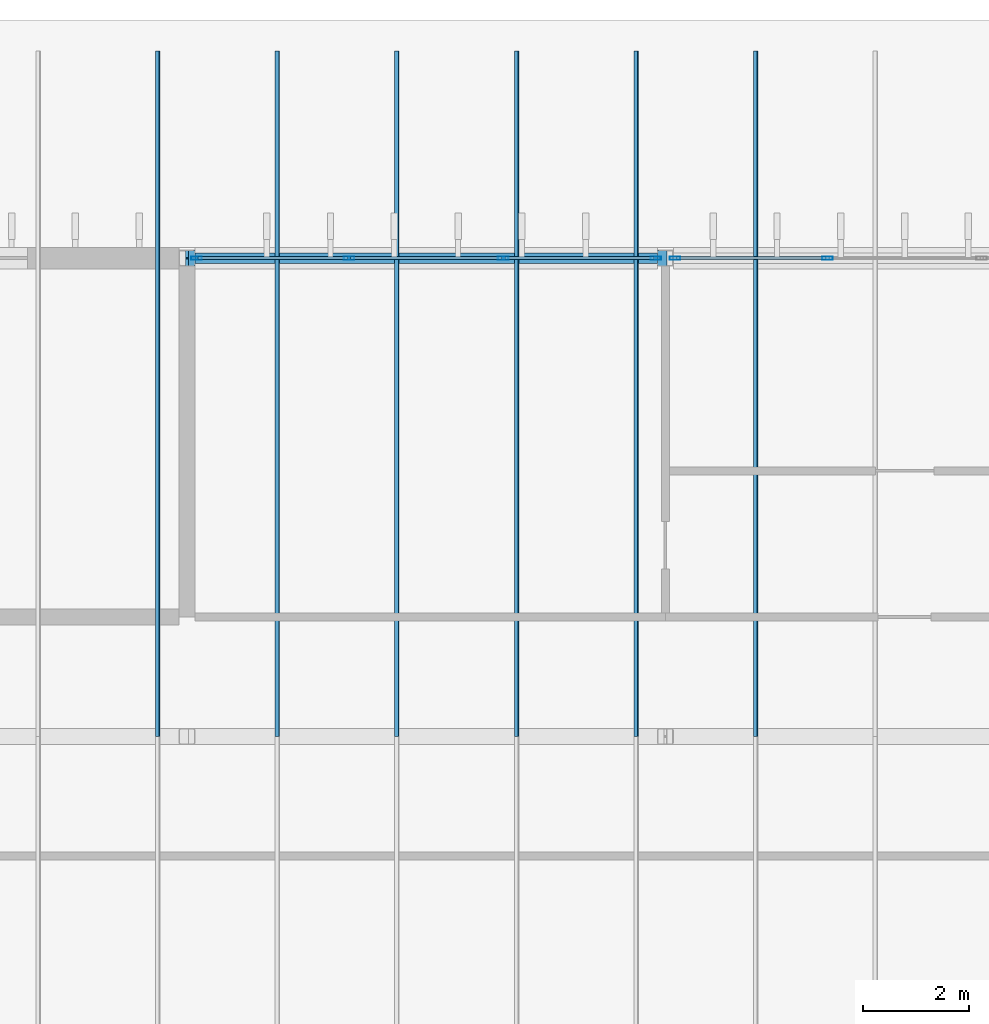
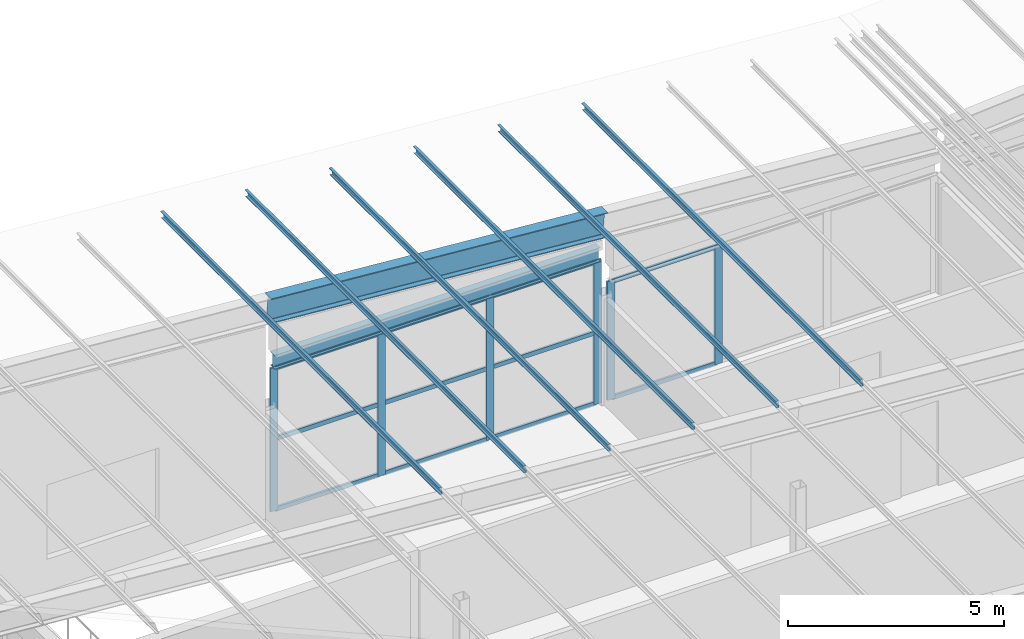
# One storey, part 55 of 85: 24 members, 1 beam, 2 elements without a shape of their own.
"""IFC4 building model written with IfcOpenShell, lengths in metres."""

from ifc_helpers import new_model, si_unit, direction, frame, origin, origin_2d, place, context, subcontext, project, spatial, polyline, hollow_rectangle, i_section, outline, extrude, material, layer, layer_set, material_profile, profile_set, type_object, element, aggregate, save


model = new_model("IFC4")

# Units and contexts
model_context = context("Model", 3, precision=1e-05, world=origin(), true_north=direction((0.0, 1.0)))
body_context = subcontext(model_context, "Body", "Model", "MODEL_VIEW")
ifc_project = project(units=[si_unit("LENGTHUNIT", "METRE"), si_unit("AREAUNIT", "SQUARE_METRE"), si_unit("VOLUMEUNIT", "CUBIC_METRE"), si_unit("PLANEANGLEUNIT", "RADIAN"), si_unit("MASSUNIT", "GRAM", prefix="KILO")], contexts=[model_context])

# Site, building, storey
site_placement = place(None, origin())
site = spatial("IfcSite", under=ifc_project, at=site_placement, CompositionType="ELEMENT")
building_placement = place(site_placement, origin())
building = spatial("IfcBuilding", under=site, at=building_placement, Name="Opaline Strait Convention Centre", CompositionType="ELEMENT")
storey_placement = place(building_placement, frame((0.0, 0.0, 17.0)))
storey = spatial("IfcBuildingStorey", under=building, at=storey_placement, Name="L03", CompositionType="ELEMENT", Elevation=17.0)

# Curtain wall, members
ifc_material_1 = material(Name="Aluminium framed double glazing", Category="aluminium")
ifc_layer = layer(ifc_material_1, 0.199951171875)
ifc_layer_set = layer_set([ifc_layer], Name="Aluminium framed double glazing")
curtain_wall_type = type_object("IfcCurtainWallType", Name="Curtain wall 3000 module unitised", PredefinedType="NOTDEFINED", material=ifc_layer_set)
curtain_wall_1_placement = place(storey_placement, origin())
curtain_wall_1 = element("IfcCurtainWall", 1, at=curtain_wall_1_placement, inside=storey, type_object=curtain_wall_type, Name="Curtain wall N L03 35/W", PredefinedType="NOTDEFINED")
ifc_material_2 = material(Name="Aluminium alloy 6063", Category="aluminium")
ifc_material_profile_1 = material_profile(ifc_material_2, hollow_rectangle(XDim=0.06005859375, YDim=0.199951171875, WallThickness=0.00390625, at=origin_2d()), Name="MULLION 60x200x4")
ifc_profile_set_1 = profile_set([ifc_material_profile_1], Name="Aluminium alloy 6063")
member_type_1 = type_object("IfcMemberType", Name="Curtain wall mullion 60 x 200", PredefinedType="MULLION", material=ifc_profile_set_1)
member_1_placement = place(storey_placement, frame((306.179931640625, 180.0, 0.0), z_axis=(0.0, 0.0, 1.0), x_axis=(0.0, 1.0, 0.0)))
member_1 = element("IfcMember", 2, at=member_1_placement, type_object=member_type_1, Name="MCWR1 mullion 1", PredefinedType="MULLION", context=body_context, shape_type="SweptSolid", body=[
    extrude(hollow_rectangle(XDim=0.06005859375, YDim=0.199951171875, WallThickness=0.00390625, at=origin_2d()), origin(), (0.0, 0.0, 1.0), 4.050048828125),
])
member_2_placement = place(storey_placement, frame((309.050048828125, 180.0, 0.0), z_axis=(0.0, 0.0, 1.0), x_axis=(0.0, 1.0, 0.0)))
member_2 = element("IfcMember", 3, at=member_2_placement, type_object=member_type_1, Name="MCWR1 mullion 2", PredefinedType="MULLION", context=body_context, shape_type="SweptSolid", body=[
    extrude(hollow_rectangle(XDim=0.06005859375, YDim=0.199951171875, WallThickness=0.00390625, at=origin_2d()), origin(), (0.0, 0.0, 1.0), 4.050048828125),
])
member_3_placement = place(storey_placement, frame((311.949951171875, 180.0, 0.0), z_axis=(0.0, 0.0, 1.0), x_axis=(0.0, 1.0, 0.0)))
member_3 = element("IfcMember", 4, at=member_3_placement, type_object=member_type_1, Name="MCWR1 mullion 3", PredefinedType="MULLION", context=body_context, shape_type="SweptSolid", body=[
    extrude(hollow_rectangle(XDim=0.06005859375, YDim=0.199951171875, WallThickness=0.00390625, at=origin_2d()), origin(), (0.0, 0.0, 1.0), 4.050048828125),
])
member_4_placement = place(storey_placement, frame((314.820068359375, 180.0, 0.0), z_axis=(0.0, 0.0, 1.0), x_axis=(0.0, 1.0, 0.0)))
member_4 = element("IfcMember", 5, at=member_4_placement, type_object=member_type_1, Name="MCWR1 mullion 4", PredefinedType="MULLION", context=body_context, shape_type="SweptSolid", body=[
    extrude(hollow_rectangle(XDim=0.06005859375, YDim=0.199951171875, WallThickness=0.00390625, at=origin_2d()), origin(), (0.0, 0.0, 1.0), 4.050048828125),
])

curtain_wall_2_placement = place(storey_placement, origin())
curtain_wall_2 = element("IfcCurtainWall", 6, at=curtain_wall_2_placement, inside=storey, type_object=curtain_wall_type, Name="Curtain wall N L03 36/W", PredefinedType="NOTDEFINED")
member_5_placement = place(storey_placement, frame((315.179931640625, 180.0, 0.0), z_axis=(0.0, 0.0, 1.0), x_axis=(0.0, 1.0, 0.0)))
member_5 = element("IfcMember", 7, at=member_5_placement, type_object=member_type_1, Name="MCWR1 mullion 1", PredefinedType="MULLION", context=body_context, shape_type="SweptSolid", body=[
    extrude(hollow_rectangle(XDim=0.06005859375, YDim=0.199951171875, WallThickness=0.00390625, at=origin_2d()), origin(), (0.0, 0.0, 1.0), 3.35009765625),
])
member_6_placement = place(storey_placement, frame((318.050048828125, 180.0, 0.0), z_axis=(0.0, 0.0, 1.0), x_axis=(0.0, 1.0, 0.0)))
member_6 = element("IfcMember", 8, at=member_6_placement, type_object=member_type_1, Name="MCWR1 mullion 2", PredefinedType="MULLION", context=body_context, shape_type="SweptSolid", body=[
    extrude(hollow_rectangle(XDim=0.06005859375, YDim=0.199951171875, WallThickness=0.00390625, at=origin_2d()), origin(), (0.0, 0.0, 1.0), 3.35009765625),
])

# Member
ifc_material_profile_2 = material_profile(ifc_material_2, hollow_rectangle(XDim=0.06005859375, YDim=0.1201171875, WallThickness=0.0029296875, at=origin_2d()), Name="TRANSOM 60x120x3")
ifc_profile_set_2 = profile_set([ifc_material_profile_2], Name="Aluminium alloy 6063")
member_type_2 = type_object("IfcMemberType", Name="Curtain wall transom 60 x 120", PredefinedType="USERDEFINED", material=ifc_profile_set_2)
member_7_placement = place(storey_placement, frame((306.2099609375, 180.0, 0.030029296875), z_axis=(1.0, 0.0, 0.0), x_axis=(0.0, 1.0, 0.0)))
member_7 = element("IfcMember", 9, at=member_7_placement, type_object=member_type_2, Name="MCWR1 transom 1.1", ObjectType="TRANSOM", PredefinedType="USERDEFINED", context=body_context, shape_type="SweptSolid", body=[
    extrude(hollow_rectangle(XDim=0.06005859375, YDim=0.1201171875, WallThickness=0.0029296875, at=origin_2d()), origin(), (0.0, 0.0, 1.0), 2.81005859375),
])

member_8_placement = place(storey_placement, frame((306.2099609375, 180.0, 2.02490234375), z_axis=(1.0, 0.0, 0.0), x_axis=(0.0, 1.0, 0.0)))
member_8 = element("IfcMember", 10, at=member_8_placement, type_object=member_type_2, Name="MCWR1 transom 1.2", ObjectType="TRANSOM", PredefinedType="USERDEFINED", context=body_context, shape_type="SweptSolid", body=[
    extrude(hollow_rectangle(XDim=0.06005859375, YDim=0.1201171875, WallThickness=0.0029296875, at=origin_2d()), origin(), (0.0, 0.0, 1.0), 2.81005859375),
])

member_9_placement = place(storey_placement, frame((306.2099609375, 180.0, 4.02001953125), z_axis=(1.0, 0.0, 0.0), x_axis=(0.0, 1.0, 0.0)))
member_9 = element("IfcMember", 11, at=member_9_placement, type_object=member_type_2, Name="MCWR1 transom 1.3", ObjectType="TRANSOM", PredefinedType="USERDEFINED", context=body_context, shape_type="SweptSolid", body=[
    extrude(hollow_rectangle(XDim=0.06005859375, YDim=0.1201171875, WallThickness=0.0029296875, at=origin_2d()), origin(), (0.0, 0.0, 1.0), 2.81005859375),
])

member_10_placement = place(storey_placement, frame((309.080078125, 180.0, 0.030029296875), z_axis=(1.0, 0.0, 0.0), x_axis=(0.0, 1.0, 0.0)))
member_10 = element("IfcMember", 12, at=member_10_placement, type_object=member_type_2, Name="MCWR1 transom 2.1", ObjectType="TRANSOM", PredefinedType="USERDEFINED", context=body_context, shape_type="SweptSolid", body=[
    extrude(hollow_rectangle(XDim=0.06005859375, YDim=0.1201171875, WallThickness=0.0029296875, at=origin_2d()), origin(), (0.0, 0.0, 1.0), 2.83984375),
])

member_11_placement = place(storey_placement, frame((309.080078125, 180.0, 2.02490234375), z_axis=(1.0, 0.0, 0.0), x_axis=(0.0, 1.0, 0.0)))
member_11 = element("IfcMember", 13, at=member_11_placement, type_object=member_type_2, Name="MCWR1 transom 2.2", ObjectType="TRANSOM", PredefinedType="USERDEFINED", context=body_context, shape_type="SweptSolid", body=[
    extrude(hollow_rectangle(XDim=0.06005859375, YDim=0.1201171875, WallThickness=0.0029296875, at=origin_2d()), origin(), (0.0, 0.0, 1.0), 2.83984375),
])

member_12_placement = place(storey_placement, frame((309.080078125, 180.0, 4.02001953125), z_axis=(1.0, 0.0, 0.0), x_axis=(0.0, 1.0, 0.0)))
member_12 = element("IfcMember", 14, at=member_12_placement, type_object=member_type_2, Name="MCWR1 transom 2.3", ObjectType="TRANSOM", PredefinedType="USERDEFINED", context=body_context, shape_type="SweptSolid", body=[
    extrude(hollow_rectangle(XDim=0.06005859375, YDim=0.1201171875, WallThickness=0.0029296875, at=origin_2d()), origin(), (0.0, 0.0, 1.0), 2.83984375),
])

member_13_placement = place(storey_placement, frame((311.97998046875, 180.0, 0.030029296875), z_axis=(1.0, 0.0, 0.0), x_axis=(0.0, 1.0, 0.0)))
member_13 = element("IfcMember", 15, at=member_13_placement, type_object=member_type_2, Name="MCWR1 transom 3.1", ObjectType="TRANSOM", PredefinedType="USERDEFINED", context=body_context, shape_type="SweptSolid", body=[
    extrude(hollow_rectangle(XDim=0.06005859375, YDim=0.1201171875, WallThickness=0.0029296875, at=origin_2d()), origin(), (0.0, 0.0, 1.0), 2.81005859375),
])

member_14_placement = place(storey_placement, frame((311.97998046875, 180.0, 2.02490234375), z_axis=(1.0, 0.0, 0.0), x_axis=(0.0, 1.0, 0.0)))
member_14 = element("IfcMember", 16, at=member_14_placement, type_object=member_type_2, Name="MCWR1 transom 3.2", ObjectType="TRANSOM", PredefinedType="USERDEFINED", context=body_context, shape_type="SweptSolid", body=[
    extrude(hollow_rectangle(XDim=0.06005859375, YDim=0.1201171875, WallThickness=0.0029296875, at=origin_2d()), origin(), (0.0, 0.0, 1.0), 2.81005859375),
])

member_15_placement = place(storey_placement, frame((311.97998046875, 180.0, 4.02001953125), z_axis=(1.0, 0.0, 0.0), x_axis=(0.0, 1.0, 0.0)))
member_15 = element("IfcMember", 17, at=member_15_placement, type_object=member_type_2, Name="MCWR1 transom 3.3", ObjectType="TRANSOM", PredefinedType="USERDEFINED", context=body_context, shape_type="SweptSolid", body=[
    extrude(hollow_rectangle(XDim=0.06005859375, YDim=0.1201171875, WallThickness=0.0029296875, at=origin_2d()), origin(), (0.0, 0.0, 1.0), 2.81005859375),
])

aggregate(curtain_wall_1, [member_1, member_2, member_3, member_4, member_7, member_8, member_9, member_10, member_11, member_12, member_13, member_14, member_15])

member_16_placement = place(storey_placement, frame((315.2099609375, 180.0, 0.030029296875), z_axis=(1.0, 0.0, 0.0), x_axis=(0.0, 1.0, 0.0)))
member_16 = element("IfcMember", 18, at=member_16_placement, type_object=member_type_2, Name="MCWR1 transom 1.1", ObjectType="TRANSOM", PredefinedType="USERDEFINED", context=body_context, shape_type="SweptSolid", body=[
    extrude(hollow_rectangle(XDim=0.06005859375, YDim=0.1201171875, WallThickness=0.0029296875, at=origin_2d()), origin(), (0.0, 0.0, 1.0), 2.81005859375),
])

member_17_placement = place(storey_placement, frame((315.2099609375, 180.0, 3.320068359375), z_axis=(1.0, 0.0, 0.0), x_axis=(0.0, 1.0, 0.0)))
member_17 = element("IfcMember", 19, at=member_17_placement, type_object=member_type_2, Name="MCWR1 transom 1.2", ObjectType="TRANSOM", PredefinedType="USERDEFINED", context=body_context, shape_type="SweptSolid", body=[
    extrude(hollow_rectangle(XDim=0.06005859375, YDim=0.1201171875, WallThickness=0.0029296875, at=origin_2d()), origin(), (0.0, 0.0, 1.0), 2.81005859375),
])

aggregate(curtain_wall_2, [member_5, member_6, member_16, member_17])

# Beam
ifc_material_3 = material(Name="Steel Q355B", Category="steel")
ifc_material_profile_3 = material_profile(ifc_material_3, i_section(OverallWidth=0.199951171875, OverallDepth=0.39990234375, WebThickness=0.008056640625, FlangeThickness=0.012939453125, FilletRadius=0.012939453125, at=origin_2d()), Name="HN 400x200x8x13")
ifc_profile_set_3 = profile_set([ifc_material_profile_3], Name="Steel Q355B")
beam_type = type_object("IfcBeamType", Name="Lintel beam HN 400x200x8x13", PredefinedType="BEAM", material=ifc_profile_set_3)
beam_placement = place(storey_placement, frame((306.14990234375, 180.0, 4.25), z_axis=(1.0, 0.0, 0.0), x_axis=(0.0, 1.0, 0.0)))
element("IfcBeam", 20, at=beam_placement, inside=storey, type_object=beam_type, Name="MLB1 lintel beam over curtain wall 35/W", PredefinedType="BEAM", context=body_context, shape_type="SweptSolid", body=[
    extrude(i_section(OverallWidth=0.199951171875, OverallDepth=0.39990234375, WebThickness=0.008056640625, FlangeThickness=0.012939453125, FilletRadius=0.012939453125, at=origin_2d()), origin(), (0.0, 0.0, 1.0), 8.7001953125),
])

# Members
ifc_material_profile_4 = material_profile(ifc_material_3, outline(polyline([(-0.034912109375, -0.10009765625), (0.034912109375, -0.10009765625), (0.034912109375, -0.080078125), (0.032470703125, -0.080078125), (0.032470703125, -0.097412109375), (-0.032470703125, -0.097412109375), (-0.032470703125, 0.097412109375), (0.032470703125, 0.097412109375), (0.032470703125, 0.080078125), (0.034912109375, 0.080078125), (0.034912109375, 0.10009765625), (-0.034912109375, 0.10009765625), (-0.034912109375, -0.10009765625)])), Name="C 200x70x20x2.5")
ifc_profile_set_4 = profile_set([ifc_material_profile_4], Name="Steel Q355B")
member_type_3 = type_object("IfcMemberType", Name="Roof purlin C 200x70x20x2.5", PredefinedType="PURLIN", material=ifc_profile_set_4)
for number, where, z_axis, x_axis, name in (
    (21, (316.699951171875, 171.0, 5.376953125), (0.0, 1.0, 0.0), (-0.996917333733, 0.0, -0.078459095728), "MRP1 purlin W wing 50"),
    (22, (314.449951171875, 171.0, 5.553955078125), (0.0, 1.0, 0.0), (-0.996917333733, 0.0, -0.078459095728), "MRP1 purlin W wing 60"),
    (23, (312.199951171875, 171.0, 5.731201171875), (0.0, 1.0, 0.0), (-0.996917333733, 0.0, -0.078459095728), "MRP1 purlin W wing 70"),
    (24, (309.949951171875, 171.0, 5.908203125), (0.0, 1.0, 0.0), (-0.996917333733, 0.0, -0.078459095728), "MRP1 purlin W wing 80"),
    (25, (307.699951171875, 171.0, 6.085205078125), (0.0, 1.0, 0.0), (-0.996917333733, 0.0, -0.078459095728), "MRP1 purlin W wing 90"),
    (26, (305.449951171875, 171.0, 6.262451171875), (0.0, 1.0, 0.0), (-0.996917333733, 0.0, -0.078459095728), "MRP1 purlin W wing 100"),
):
    element("IfcMember", number, at=place(storey_placement, frame(where, z_axis=z_axis, x_axis=x_axis)), inside=storey, type_object=member_type_3, Name=name, PredefinedType="PURLIN", context=body_context, shape_type="SweptSolid", body=[
        extrude(outline(polyline([(-0.034912109375, -0.10009765625), (0.034912109375, -0.10009765625), (0.034912109375, -0.080078125), (0.032470703125, -0.080078125), (0.032470703125, -0.097412109375), (-0.032470703125, -0.097412109375), (-0.032470703125, 0.097412109375), (0.032470703125, 0.097412109375), (0.032470703125, 0.080078125), (0.034912109375, 0.080078125), (0.034912109375, 0.10009765625), (-0.034912109375, 0.10009765625), (-0.034912109375, -0.10009765625)])), origin(), (0.0, 0.0, 1.0), 12.89990234375),
    ])
ifc_material_profile_5 = material_profile(ifc_material_3, i_section(OverallWidth=0.300048828125, OverallDepth=0.699951171875, WebThickness=0.012939453125, FlangeThickness=0.02392578125, FilletRadius=0.01806640625, at=origin_2d()), Name="HN 700x300x13x24")
ifc_profile_set_5 = profile_set([ifc_material_profile_5], Name="Steel Q355B")
member_type_4 = type_object("IfcMemberType", Name="Roof rafter HN 700x300x13x24", PredefinedType="RAFTER", material=ifc_profile_set_5)
member_18_placement = place(storey_placement, frame((306.0, 180.0, 5.767822265625), z_axis=(0.99691576767, 0.0, -0.07847899191), x_axis=(0.0, 1.0, 0.0)))
element("IfcMember", 27, at=member_18_placement, inside=storey, type_object=member_type_4, Name="MRR1 rafter y 180", PredefinedType="RAFTER", context=body_context, shape_type="SweptSolid", body=[
    extrude(i_section(OverallWidth=0.300048828125, OverallDepth=0.699951171875, WebThickness=0.012939453125, FlangeThickness=0.02392578125, FilletRadius=0.01806640625, at=origin_2d()), origin(), (0.0, 0.0, 1.0), 9.02783203125),
])

save(model, "model.ifc")
